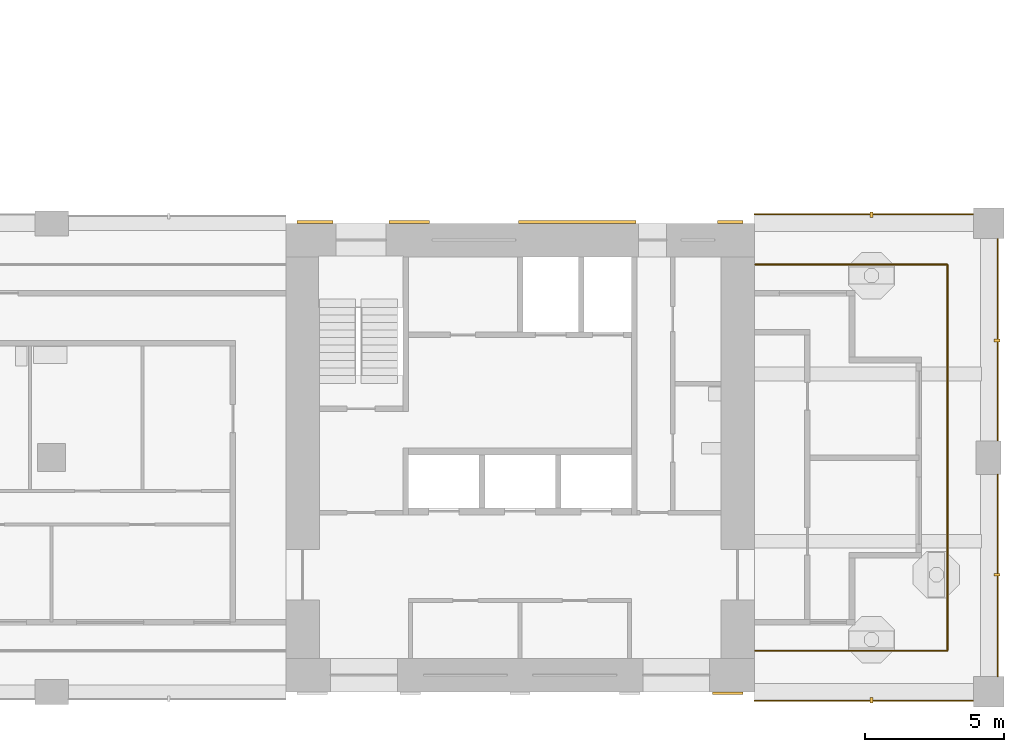
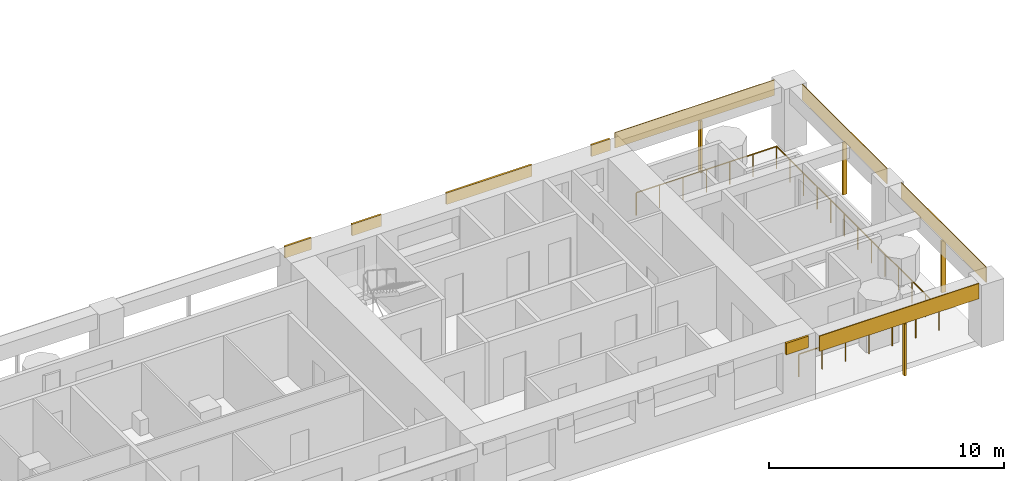
# One storey, part 9 of 13: 13 shading devices, 1 railing.
"""IFC4 building model written with IfcOpenShell, lengths in metres."""

from ifc_helpers import new_model, si_unit, direction, frame, origin, origin_2d, place, context, subcontext, project, spatial, rectangle, circle, extrude, material, layer, layer_set, material_profile, profile_set, type_object, element, save


model = new_model("IFC4")

# Units and contexts
model_context = context("Model", 3, precision=1e-05, world=origin(), true_north=direction((0.0, 1.0)))
body_context = subcontext(model_context, "Body", "Model", "MODEL_VIEW")
ifc_project = project(units=[si_unit("LENGTHUNIT", "METRE"), si_unit("AREAUNIT", "SQUARE_METRE"), si_unit("VOLUMEUNIT", "CUBIC_METRE"), si_unit("PLANEANGLEUNIT", "RADIAN"), si_unit("MASSUNIT", "GRAM", prefix="KILO")], contexts=[model_context])

# Site, building, storey
site_placement = place(None, origin())
site = spatial("IfcSite", under=ifc_project, at=site_placement, CompositionType="ELEMENT")
building_placement = place(site_placement, origin())
building = spatial("IfcBuilding", under=site, at=building_placement, Name="Vermilion Gate Residences", CompositionType="ELEMENT")
storey_placement = place(building_placement, frame((0.0, 0.0, 179.199951171875)))
storey = spatial("IfcBuildingStorey", under=building, at=storey_placement, Name="L46", CompositionType="ELEMENT", Elevation=179.199951171875)

# Railing
ifc_material_1 = material(Name="Stainless steel and toughened glass", Category="steel")
railing_type = type_object("IfcRailingType", Name="LOGGIA GUARD STEEL AND GLASS 1200", PredefinedType="GUARDRAIL", material=ifc_material_1)
railing_placement = place(storey_placement, frame((58.822021484375, 9.875, 0.0)))
element("IfcRailing", 1, at=railing_placement, inside=storey, type_object=railing_type, Name="Loggia guard", PredefinedType="GUARDRAIL", context=body_context, shape_type="SweptSolid", body=[
    extrude(circle(Radius=0.030029296875, at=origin_2d()), frame((0.0, 0.0, 1.169921875), z_axis=(1.0, 0.0, 0.0), x_axis=(0.0, 1.0, 0.0)), (0.0, 0.0, 1.0), 6.903076171875),
    extrude(circle(Radius=0.030029296875, at=origin_2d()), frame((6.903076171875, 0.0, 1.169921875), z_axis=(0.0, 1.0, 0.0), x_axis=(-1.0, 0.0, 0.0)), (0.0, 0.0, 1.0), 13.85009765625),
    extrude(circle(Radius=0.030029296875, at=origin_2d()), frame((6.903076171875, 13.85009765625, 1.169921875), z_axis=(-1.0, 0.0, 0.0), x_axis=(0.0, -1.0, 0.0)), (0.0, 0.0, 1.0), 6.903076171875),
    extrude(circle(Radius=0.02490234375, at=origin_2d()), origin(), (0.0, 0.0, 1.0), 1.139892578125),
    extrude(circle(Radius=0.02490234375, at=origin_2d()), frame((1.150390625, 0.0, 0.0)), (0.0, 0.0, 1.0), 1.139892578125),
    extrude(circle(Radius=0.02490234375, at=origin_2d()), frame((2.301025390625, 0.0, 0.0)), (0.0, 0.0, 1.0), 1.139892578125),
    extrude(circle(Radius=0.02490234375, at=origin_2d()), frame((3.45166015625, 0.0, 0.0)), (0.0, 0.0, 1.0), 1.139892578125),
    extrude(circle(Radius=0.02490234375, at=origin_2d()), frame((4.60205078125, 0.0, 0.0)), (0.0, 0.0, 1.0), 1.139892578125),
    extrude(circle(Radius=0.02490234375, at=origin_2d()), frame((5.75244140625, 0.0, 0.0)), (0.0, 0.0, 1.0), 1.139892578125),
    extrude(circle(Radius=0.02490234375, at=origin_2d()), frame((6.903076171875, 0.0, 0.0)), (0.0, 0.0, 1.0), 1.139892578125),
    extrude(circle(Radius=0.02490234375, at=origin_2d()), frame((6.903076171875, 1.154296875, 0.0)), (0.0, 0.0, 1.0), 1.139892578125),
    extrude(circle(Radius=0.02490234375, at=origin_2d()), frame((6.903076171875, 2.308349609375, 0.0)), (0.0, 0.0, 1.0), 1.139892578125),
    extrude(circle(Radius=0.02490234375, at=origin_2d()), frame((6.903076171875, 3.46240234375, 0.0)), (0.0, 0.0, 1.0), 1.139892578125),
    extrude(circle(Radius=0.02490234375, at=origin_2d()), frame((6.903076171875, 4.61669921875, 0.0)), (0.0, 0.0, 1.0), 1.139892578125),
    extrude(circle(Radius=0.02490234375, at=origin_2d()), frame((6.903076171875, 5.77099609375, 0.0)), (0.0, 0.0, 1.0), 1.139892578125),
    extrude(circle(Radius=0.02490234375, at=origin_2d()), frame((6.903076171875, 6.925048828125, 0.0)), (0.0, 0.0, 1.0), 1.139892578125),
    extrude(circle(Radius=0.02490234375, at=origin_2d()), frame((6.903076171875, 8.0791015625, 0.0)), (0.0, 0.0, 1.0), 1.139892578125),
    extrude(circle(Radius=0.02490234375, at=origin_2d()), frame((6.903076171875, 9.2333984375, 0.0)), (0.0, 0.0, 1.0), 1.139892578125),
    extrude(circle(Radius=0.02490234375, at=origin_2d()), frame((6.903076171875, 10.3876953125, 0.0)), (0.0, 0.0, 1.0), 1.139892578125),
    extrude(circle(Radius=0.02490234375, at=origin_2d()), frame((6.903076171875, 11.541748046875, 0.0)), (0.0, 0.0, 1.0), 1.139892578125),
    extrude(circle(Radius=0.02490234375, at=origin_2d()), frame((6.903076171875, 12.69580078125, 0.0)), (0.0, 0.0, 1.0), 1.139892578125),
    extrude(circle(Radius=0.02490234375, at=origin_2d()), frame((6.903076171875, 13.85009765625, 0.0)), (0.0, 0.0, 1.0), 1.139892578125),
    extrude(circle(Radius=0.02490234375, at=origin_2d()), frame((5.75244140625, 13.85009765625, 0.0)), (0.0, 0.0, 1.0), 1.139892578125),
    extrude(circle(Radius=0.02490234375, at=origin_2d()), frame((4.60205078125, 13.85009765625, 0.0)), (0.0, 0.0, 1.0), 1.139892578125),
    extrude(circle(Radius=0.02490234375, at=origin_2d()), frame((3.45166015625, 13.85009765625, 0.0)), (0.0, 0.0, 1.0), 1.139892578125),
    extrude(circle(Radius=0.02490234375, at=origin_2d()), frame((2.301025390625, 13.85009765625, 0.0)), (0.0, 0.0, 1.0), 1.139892578125),
    extrude(circle(Radius=0.02490234375, at=origin_2d()), frame((1.150390625, 13.85009765625, 0.0)), (0.0, 0.0, 1.0), 1.139892578125),
    extrude(circle(Radius=0.02490234375, at=origin_2d()), frame((0.0, 13.85009765625, 0.0)), (0.0, 0.0, 1.0), 1.139892578125),
])

# Shading devices
ifc_material_2 = material(Name="Perforated terracotta", Category="masonry")
ifc_layer_1 = layer(ifc_material_2, 0.0400390625)
ifc_layer_set_1 = layer_set([ifc_layer_1], Name="PERFORATED TERRACOTTA SCREEN 40")
shading_device_type_1 = type_object("IfcShadingDeviceType", Name="PERFORATED TERRACOTTA SCREEN 40", PredefinedType="SHUTTER", material=ifc_layer_set_1)
shading_device_1_placement = place(storey_placement, frame((62.72509765625, 8.080078125, 2.419921875), z_axis=(0.0, 0.0, 1.0), x_axis=(1.0, 0.0, 0.0)))
element("IfcShadingDevice", 2, at=shading_device_1_placement, inside=storey, type_object=shading_device_type_1, Name="SCREEN", PredefinedType="SHUTTER", context=body_context, shape_type="SweptSolid", body=[
    extrude(rectangle(XDim=7.85009765625, YDim=0.0400390625, at=origin_2d()), origin(), (0.0, 0.0, 1.0), 0.800048828125),
])
for number, where, z_axis, x_axis, name in (
    (3, (67.52001953125, 12.574951171875, 2.419921875), (0.0, 0.0, 1.0), (0.0, 1.0, 0.0), "SCREEN"),
    (4, (67.52001953125, 21.02490234375, 2.419921875), (0.0, 0.0, 1.0), (0.0, 1.0, 0.0), "SCREEN"),
):
    element("IfcShadingDevice", number, at=place(storey_placement, frame(where, z_axis=z_axis, x_axis=x_axis)), inside=storey, type_object=shading_device_type_1, Name=name, PredefinedType="SHUTTER", context=body_context, shape_type="SweptSolid", body=[
        extrude(rectangle(XDim=7.25, YDim=0.0400390625, at=origin_2d()), origin(), (0.0, 0.0, 1.0), 0.800048828125),
    ])
shading_device_2_placement = place(storey_placement, frame((62.72509765625, 25.52001953125, 2.419921875), z_axis=(0.0, 0.0, 1.0), x_axis=(-1.0, 0.0, 0.0)))
element("IfcShadingDevice", 5, at=shading_device_2_placement, inside=storey, type_object=shading_device_type_1, Name="SCREEN", PredefinedType="SHUTTER", context=body_context, shape_type="SweptSolid", body=[
    extrude(rectangle(XDim=7.85009765625, YDim=0.0400390625, at=origin_2d()), origin(), (0.0, 0.0, 1.0), 0.800048828125),
])
ifc_material_3 = material(Name="Extruded terracotta", Category="masonry")
ifc_material_profile = material_profile(ifc_material_3, rectangle(XDim=0.199951171875, YDim=0.10009765625, at=origin_2d()), Name="BAGUETTE 100 X 200")
ifc_profile_set = profile_set([ifc_material_profile], Name="Extruded terracotta")
shading_device_type_2 = type_object("IfcShadingDeviceType", Name="TERRACOTTA BAGUETTE 100 X 200", PredefinedType="JALOUSIE", material=ifc_profile_set)
for number, where, z_axis, x_axis, name in (
    (6, (63.0, 8.10009765625, -0.280029296875), (0.0, 0.0, 1.0), (0.0, 1.0, 0.0), "BAGUETTE"),
    (7, (67.5, 12.60009765625, -0.280029296875), (0.0, 0.0, 1.0), (-1.0, 0.0, 0.0), "BAGUETTE"),
    (8, (67.5, 21.0, -0.280029296875), (0.0, 0.0, 1.0), (-1.0, 0.0, 0.0), "BAGUETTE"),
    (9, (63.0, 25.5, -0.280029296875), (0.0, 0.0, 1.0), (0.0, -1.0, 0.0), "BAGUETTE"),
):
    element("IfcShadingDevice", number, at=place(storey_placement, frame(where, z_axis=z_axis, x_axis=x_axis)), inside=storey, type_object=shading_device_type_2, Name=name, PredefinedType="JALOUSIE", context=body_context, shape_type="SweptSolid", body=[
        extrude(rectangle(XDim=0.199951171875, YDim=0.10009765625, at=origin_2d()), origin(), (0.0, 0.0, 1.0), 2.7001953125),
    ])
ifc_material_4 = material(Name="Extruded terracotta", Category="masonry")
ifc_layer_2 = layer(ifc_material_4, 0.10009765625)
ifc_layer_set_2 = layer_set([ifc_layer_2], Name="TERRACOTTA SPANDREL BAND 600 X 100")
shading_device_type_3 = type_object("IfcShadingDeviceType", Name="TERRACOTTA SPANDREL BAND 600 X 100", PredefinedType="USERDEFINED", material=ifc_layer_set_2)
shading_device_3_placement = place(storey_placement, frame((57.85009765625, 8.35009765625, 2.6201171875), z_axis=(0.0, 0.0, 1.0), x_axis=(1.0, 0.0, 0.0)))
element("IfcShadingDevice", 10, at=shading_device_3_placement, inside=storey, type_object=shading_device_type_3, Name="SPANDREL BAND", ObjectType="BAND", PredefinedType="USERDEFINED", context=body_context, shape_type="SweptSolid", body=[
    extrude(rectangle(XDim=1.10009765625, YDim=0.10009765625, at=origin_2d()), origin(), (0.0, 0.0, 1.0), 0.60009765625),
])
shading_device_4_placement = place(storey_placement, frame((43.050048828125, 25.25, 2.6201171875), z_axis=(0.0, 0.0, 1.0), x_axis=(1.0, 0.0, 0.0)))
element("IfcShadingDevice", 11, at=shading_device_4_placement, inside=storey, type_object=shading_device_type_3, Name="SPANDREL BAND", ObjectType="BAND", PredefinedType="USERDEFINED", context=body_context, shape_type="SweptSolid", body=[
    extrude(rectangle(XDim=1.300048828125, YDim=0.10009765625, at=origin_2d()), origin(), (0.0, 0.0, 1.0), 0.60009765625),
])
shading_device_5_placement = place(storey_placement, frame((46.425048828125, 25.25, 2.6201171875), z_axis=(0.0, 0.0, 1.0), x_axis=(1.0, 0.0, 0.0)))
element("IfcShadingDevice", 12, at=shading_device_5_placement, inside=storey, type_object=shading_device_type_3, Name="SPANDREL BAND", ObjectType="BAND", PredefinedType="USERDEFINED", context=body_context, shape_type="SweptSolid", body=[
    extrude(rectangle(XDim=1.449951171875, YDim=0.10009765625, at=origin_2d()), origin(), (0.0, 0.0, 1.0), 0.60009765625),
])
shading_device_6_placement = place(storey_placement, frame((52.449951171875, 25.25, 2.6201171875), z_axis=(0.0, 0.0, 1.0), x_axis=(1.0, 0.0, 0.0)))
element("IfcShadingDevice", 13, at=shading_device_6_placement, inside=storey, type_object=shading_device_type_3, Name="SPANDREL BAND", ObjectType="BAND", PredefinedType="USERDEFINED", context=body_context, shape_type="SweptSolid", body=[
    extrude(rectangle(XDim=4.199951171875, YDim=0.10009765625, at=origin_2d()), origin(), (0.0, 0.0, 1.0), 0.60009765625),
])
shading_device_7_placement = place(storey_placement, frame((57.9375, 25.25, 2.6201171875), z_axis=(0.0, 0.0, 1.0), x_axis=(1.0, 0.0, 0.0)))
element("IfcShadingDevice", 14, at=shading_device_7_placement, inside=storey, type_object=shading_device_type_3, Name="SPANDREL BAND", ObjectType="BAND", PredefinedType="USERDEFINED", context=body_context, shape_type="SweptSolid", body=[
    extrude(rectangle(XDim=0.925048828125, YDim=0.10009765625, at=origin_2d()), origin(), (0.0, 0.0, 1.0), 0.60009765625),
])

save(model, "model.ifc")
